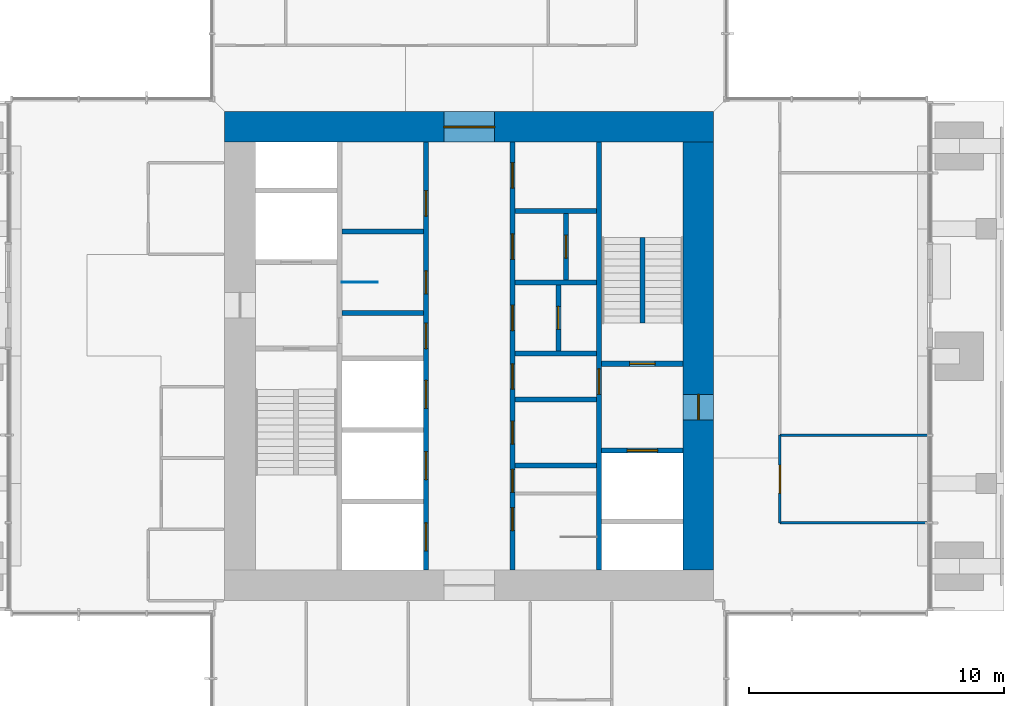
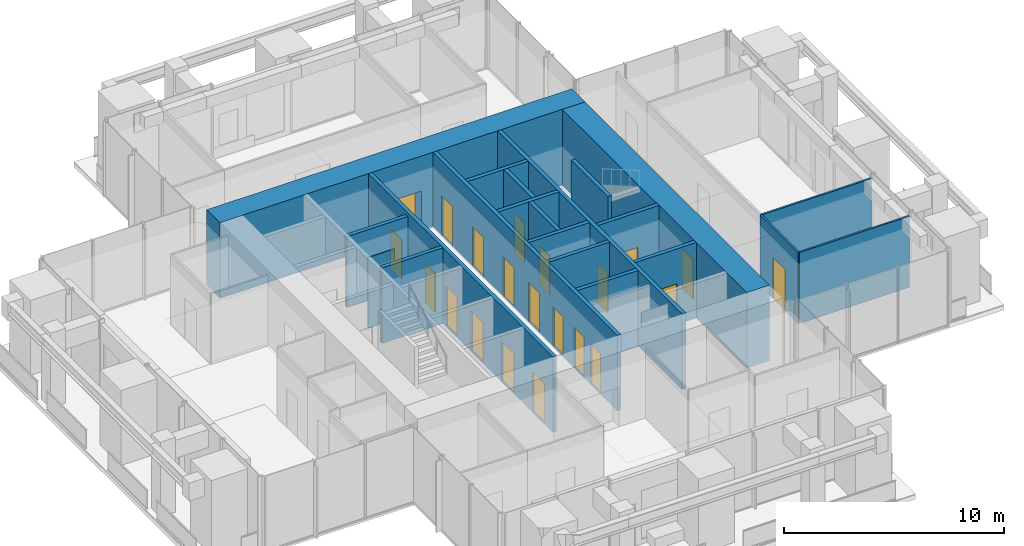
# One storey, part 8 of 12: 21 doors, 21 walls, 21 openings.
"""IFC4 building model written with IfcOpenShell, lengths in metres."""

from ifc_helpers import new_model, si_unit, direction, frame, frame_2d, origin, place, context, subcontext, project, spatial, rectangle, extrude, material, layer, layer_set, type_object, element, fill, save


model = new_model("IFC4")

# Units and contexts
model_context = context("Model", 3, precision=1e-05, world=origin(), true_north=direction((0.0, 1.0)))
body_context = subcontext(model_context, "Body", "Model", "MODEL_VIEW")
ifc_project = project(units=[si_unit("LENGTHUNIT", "METRE"), si_unit("AREAUNIT", "SQUARE_METRE"), si_unit("VOLUMEUNIT", "CUBIC_METRE"), si_unit("PLANEANGLEUNIT", "RADIAN"), si_unit("MASSUNIT", "GRAM", prefix="KILO")], contexts=[model_context])

# Site, building, storey
site_placement = place(None, origin())
site = spatial("IfcSite", under=ifc_project, at=site_placement, CompositionType="ELEMENT")
building_placement = place(site_placement, origin())
building = spatial("IfcBuilding", under=site, at=building_placement, Name="Svetlomir Tower", CompositionType="ELEMENT")
storey_placement = place(building_placement, frame((0.0, 0.0, 256.60009765625)))
storey = spatial("IfcBuildingStorey", under=building, at=storey_placement, Name="L61", CompositionType="ELEMENT", Elevation=256.60009765625)

# Wall
ifc_material_1 = material(Name="Gypsum board on twin steel studs", Category="steel")
ifc_layer_1 = layer(ifc_material_1, 0.199951171875)
ifc_layer_set_1 = layer_set([ifc_layer_1], Name="Gypsum board on twin steel studs")
wall_type_1 = type_object("IfcWallType", Name="ACOUSTIC PARTITION 200", PredefinedType="PARTITIONING", material=ifc_layer_set_1)
wall_1_placement = place(storey_placement, frame((16.0, 25.89990234375, 0.0), z_axis=(0.0, 0.0, 1.0), x_axis=(1.0, 0.0, 0.0)))
element("IfcWall", 1, at=wall_1_placement, inside=storey, type_object=wall_type_1, Name="Core cell partition 16-19.2/25.9 L61", PredefinedType="PARTITIONING", context=body_context, shape_type="SweptSolid", body=[
    extrude(rectangle(XDim=3.199951171875, YDim=0.199951171875, at=frame_2d((1.60009765625, 0.0))), origin(), (0.0, 0.0, 1.0), 3.949951171875),
])

# Wall, openings, doors
ifc_material_2 = material(Name="Concrete C60/75", Category="concrete")
ifc_layer_2 = layer(ifc_material_2, 0.199951171875)
ifc_layer_set_2 = layer_set([ifc_layer_2], Name="Concrete C60/75")
wall_type_2 = type_object("IfcWallType", Name="CORE INNER WALL 200", PredefinedType="SHEAR", material=ifc_layer_set_2)
wall_2_placement = place(storey_placement, frame((19.300048828125, 12.60009765625, -0.050048828125), z_axis=(0.0, 0.0, 1.0), x_axis=(0.0, 1.0, 0.0)))
wall_2 = element("IfcWall", 2, at=wall_2_placement, inside=storey, type_object=wall_type_2, Name="Core inner wall 19.3 L61", PredefinedType="SHEAR", context=body_context, shape_type="SweptSolid", body=[
    extrude(rectangle(XDim=16.7998046875, YDim=0.199951171875, at=frame_2d((8.39990234375, 0.0))), origin(), (0.0, 0.0, 1.0), 4.199951171875),
])
opening_1_placement = place(wall_2_placement, frame((8.699951171875, 0.0, 0.050048828125)))
opening_1 = element("IfcOpeningElement", 3, at=opening_1_placement, cuts=wall_2, Name="Opening DC", PredefinedType="OPENING", context=body_context, shape_type="SweptSolid", body=[
    extrude(rectangle(XDim=1.0, YDim=2.199951171875, at=frame_2d((0.5, 1.10009765625))), frame((0.0, 0.10986328125, 0.0), z_axis=(0.0, -1.0, 0.0), x_axis=(1.0, 0.0, 0.0)), (0.0, 0.0, 1.0), 0.219970703125),
])
opening_2_placement = place(wall_2_placement, frame((10.85009765625, 0.0, 0.050048828125)))
opening_2 = element("IfcOpeningElement", 4, at=opening_2_placement, cuts=wall_2, Name="Opening DW", PredefinedType="OPENING", context=body_context, shape_type="SweptSolid", body=[
    extrude(rectangle(XDim=0.89990234375, YDim=2.199951171875, at=frame_2d((0.449951171875, 1.10009765625))), frame((0.0, 0.10986328125, 0.0), z_axis=(0.0, -1.0, 0.0), x_axis=(1.0, 0.0, 0.0)), (0.0, 0.0, 1.0), 0.219970703125),
])
opening_3_placement = place(wall_2_placement, frame((13.89990234375, 0.0, 0.050048828125)))
opening_3 = element("IfcOpeningElement", 5, at=opening_3_placement, cuts=wall_2, Name="Opening DC", PredefinedType="OPENING", context=body_context, shape_type="SweptSolid", body=[
    extrude(rectangle(XDim=1.0, YDim=2.199951171875, at=frame_2d((0.5, 1.10009765625))), frame((0.0, 0.10986328125, 0.0), z_axis=(0.0, -1.0, 0.0), x_axis=(1.0, 0.0, 0.0)), (0.0, 0.0, 1.0), 0.219970703125),
])
opening_4_placement = place(wall_2_placement, frame((0.75, 0.0, 0.050048828125)))
opening_4 = element("IfcOpeningElement", 6, at=opening_4_placement, cuts=wall_2, Name="Opening LD", PredefinedType="OPENING", context=body_context, shape_type="SweptSolid", body=[
    extrude(rectangle(XDim=1.10009765625, YDim=2.199951171875, at=frame_2d((0.550048828125, 1.10009765625))), frame((0.0, 0.10986328125, 0.0), z_axis=(0.0, -1.0, 0.0), x_axis=(1.0, 0.0, 0.0)), (0.0, 0.0, 1.0), 0.219970703125),
])
opening_5_placement = place(wall_2_placement, frame((3.550048828125, 0.0, 0.050048828125)))
opening_5 = element("IfcOpeningElement", 7, at=opening_5_placement, cuts=wall_2, Name="Opening LD", PredefinedType="OPENING", context=body_context, shape_type="SweptSolid", body=[
    extrude(rectangle(XDim=1.10009765625, YDim=2.199951171875, at=frame_2d((0.550048828125, 1.10009765625))), frame((0.0, 0.10986328125, 0.0), z_axis=(0.0, -1.0, 0.0), x_axis=(1.0, 0.0, 0.0)), (0.0, 0.0, 1.0), 0.219970703125),
])
opening_6_placement = place(wall_2_placement, frame((6.35009765625, 0.0, 0.050048828125)))
opening_6 = element("IfcOpeningElement", 8, at=opening_6_placement, cuts=wall_2, Name="Opening LD", PredefinedType="OPENING", context=body_context, shape_type="SweptSolid", body=[
    extrude(rectangle(XDim=1.10009765625, YDim=2.199951171875, at=frame_2d((0.550048828125, 1.10009765625))), frame((0.0, 0.10986328125, 0.0), z_axis=(0.0, -1.0, 0.0), x_axis=(1.0, 0.0, 0.0)), (0.0, 0.0, 1.0), 0.219970703125),
])
ifc_material_3 = material(Name="Timber fire door", Category="wood")
door_type_1 = type_object("IfcDoorType", Name="DOOR DC 1000x2200", OperationType="SINGLE_SWING_LEFT", PredefinedType="DOOR", material=ifc_material_3)
door_1_placement = place(opening_1_placement, origin())
door_1 = element("IfcDoor", 9, at=door_1_placement, inside=storey, type_object=door_type_1, Name="Core corridor west lobby door L61", OperationType="SINGLE_SWING_RIGHT", OverallHeight=2.199951171875, OverallWidth=1.0, PredefinedType="DOOR", context=body_context, shape_type="SweptSolid", body=[
    extrude(rectangle(XDim=1.0, YDim=2.199951171875, at=frame_2d((0.5, 1.10009765625))), frame((0.0, 0.02490234375, 0.0), z_axis=(0.0, -1.0, 0.0), x_axis=(1.0, 0.0, 0.0)), (0.0, 0.0, 1.0), 0.050048828125),
])
fill(opening_1, door_1)
door_2_placement = place(opening_3_placement, origin())
door_2 = element("IfcDoor", 10, at=door_2_placement, inside=storey, type_object=door_type_1, Name="Accessible WC door L61", OperationType="SINGLE_SWING_LEFT", OverallHeight=2.199951171875, OverallWidth=1.0, PredefinedType="DOOR", context=body_context, shape_type="SweptSolid", body=[
    extrude(rectangle(XDim=1.0, YDim=2.199951171875, at=frame_2d((0.5, 1.10009765625))), frame((0.0, 0.02490234375, 0.0), z_axis=(0.0, -1.0, 0.0), x_axis=(1.0, 0.0, 0.0)), (0.0, 0.0, 1.0), 0.050048828125),
])
fill(opening_3, door_2)
ifc_material_4 = material(Name="Timber fire door", Category="wood")
door_type_2 = type_object("IfcDoorType", Name="DOOR DW 900x2200", OperationType="SINGLE_SWING_LEFT", PredefinedType="DOOR", material=ifc_material_4)
door_3_placement = place(opening_2_placement, origin())
door_3 = element("IfcDoor", 11, at=door_3_placement, inside=storey, type_object=door_type_2, Name="Female WC door L61", OperationType="SINGLE_SWING_LEFT", OverallHeight=2.199951171875, OverallWidth=0.89990234375, PredefinedType="DOOR", context=body_context, shape_type="SweptSolid", body=[
    extrude(rectangle(XDim=0.89990234375, YDim=2.199951171875, at=frame_2d((0.449951171875, 1.10009765625))), frame((0.0, 0.02490234375, 0.0), z_axis=(0.0, -1.0, 0.0), x_axis=(1.0, 0.0, 0.0)), (0.0, 0.0, 1.0), 0.050048828125),
])
fill(opening_2, door_3)
ifc_material_5 = material(Name="Stainless steel landing door", Category="steel")
door_type_3 = type_object("IfcDoorType", Name="LIFT LANDING DOOR LD 1100x2200", OperationType="DOUBLE_DOOR_SLIDING", PredefinedType="DOOR", material=ifc_material_5)
door_4_placement = place(opening_4_placement, origin())
door_4 = element("IfcDoor", 12, at=door_4_placement, inside=storey, type_object=door_type_3, Name="Landing door lift LD1 L61", OperationType="DOUBLE_DOOR_SLIDING", OverallHeight=2.199951171875, OverallWidth=1.10009765625, PredefinedType="DOOR", context=body_context, shape_type="SweptSolid", body=[
    extrude(rectangle(XDim=1.10009765625, YDim=2.199951171875, at=frame_2d((0.550048828125, 1.10009765625))), frame((0.0, 0.02490234375, 0.0), z_axis=(0.0, -1.0, 0.0), x_axis=(1.0, 0.0, 0.0)), (0.0, 0.0, 1.0), 0.050048828125),
])
fill(opening_4, door_4)
door_5_placement = place(opening_5_placement, origin())
door_5 = element("IfcDoor", 13, at=door_5_placement, inside=storey, type_object=door_type_3, Name="Landing door lift LD2 L61", OperationType="DOUBLE_DOOR_SLIDING", OverallHeight=2.199951171875, OverallWidth=1.10009765625, PredefinedType="DOOR", context=body_context, shape_type="SweptSolid", body=[
    extrude(rectangle(XDim=1.10009765625, YDim=2.199951171875, at=frame_2d((0.550048828125, 1.10009765625))), frame((0.0, 0.02490234375, 0.0), z_axis=(0.0, -1.0, 0.0), x_axis=(1.0, 0.0, 0.0)), (0.0, 0.0, 1.0), 0.050048828125),
])
fill(opening_5, door_5)
door_6_placement = place(opening_6_placement, origin())
door_6 = element("IfcDoor", 14, at=door_6_placement, inside=storey, type_object=door_type_3, Name="Landing door lift LD3 L61", OperationType="DOUBLE_DOOR_SLIDING", OverallHeight=2.199951171875, OverallWidth=1.10009765625, PredefinedType="DOOR", context=body_context, shape_type="SweptSolid", body=[
    extrude(rectangle(XDim=1.10009765625, YDim=2.199951171875, at=frame_2d((0.550048828125, 1.10009765625))), frame((0.0, 0.02490234375, 0.0), z_axis=(0.0, -1.0, 0.0), x_axis=(1.0, 0.0, 0.0)), (0.0, 0.0, 1.0), 0.050048828125),
])
fill(opening_6, door_6)

wall_3_placement = place(storey_placement, frame((22.699951171875, 12.60009765625, -0.050048828125), z_axis=(0.0, 0.0, 1.0), x_axis=(0.0, 1.0, 0.0)))
wall_3 = element("IfcWall", 15, at=wall_3_placement, inside=storey, type_object=wall_type_2, Name="Core inner wall 22.7 L61", PredefinedType="SHEAR", context=body_context, shape_type="SweptSolid", body=[
    extrude(rectangle(XDim=16.7998046875, YDim=0.199951171875, at=frame_2d((8.39990234375, 0.0))), origin(), (0.0, 0.0, 1.0), 4.199951171875),
])
opening_7_placement = place(wall_3_placement, frame((3.050048828125, 0.0, 0.050048828125)))
opening_7 = element("IfcOpeningElement", 16, at=opening_7_placement, cuts=wall_3, Name="Opening DW", PredefinedType="OPENING", context=body_context, shape_type="SweptSolid", body=[
    extrude(rectangle(XDim=0.89990234375, YDim=2.199951171875, at=frame_2d((0.449951171875, 1.10009765625))), frame((0.0, 0.10986328125, 0.0), z_axis=(0.0, -1.0, 0.0), x_axis=(1.0, 0.0, 0.0)), (0.0, 0.0, 1.0), 0.219970703125),
])
opening_8_placement = place(wall_3_placement, frame((7.10009765625, 0.0, 0.050048828125)))
opening_8 = element("IfcOpeningElement", 17, at=opening_8_placement, cuts=wall_3, Name="Opening DC", PredefinedType="OPENING", context=body_context, shape_type="SweptSolid", body=[
    extrude(rectangle(XDim=1.0, YDim=2.199951171875, at=frame_2d((0.5, 1.10009765625))), frame((0.0, 0.10986328125, 0.0), z_axis=(0.0, -1.0, 0.0), x_axis=(1.0, 0.0, 0.0)), (0.0, 0.0, 1.0), 0.219970703125),
])
opening_9_placement = place(wall_3_placement, frame((1.550048828125, 0.0, 0.050048828125)))
opening_9 = element("IfcOpeningElement", 18, at=opening_9_placement, cuts=wall_3, Name="Opening DW", PredefinedType="OPENING", context=body_context, shape_type="SweptSolid", body=[
    extrude(rectangle(XDim=0.89990234375, YDim=2.199951171875, at=frame_2d((0.449951171875, 1.10009765625))), frame((0.0, 0.10986328125, 0.0), z_axis=(0.0, -1.0, 0.0), x_axis=(1.0, 0.0, 0.0)), (0.0, 0.0, 1.0), 0.219970703125),
])
opening_10_placement = place(wall_3_placement, frame((4.949951171875, 0.0, 0.050048828125)))
opening_10 = element("IfcOpeningElement", 19, at=opening_10_placement, cuts=wall_3, Name="Opening DW", PredefinedType="OPENING", context=body_context, shape_type="SweptSolid", body=[
    extrude(rectangle(XDim=0.89990234375, YDim=2.199951171875, at=frame_2d((0.449951171875, 1.10009765625))), frame((0.0, 0.10986328125, 0.0), z_axis=(0.0, -1.0, 0.0), x_axis=(1.0, 0.0, 0.0)), (0.0, 0.0, 1.0), 0.219970703125),
])
opening_11_placement = place(wall_3_placement, frame((9.39990234375, 0.0, 0.050048828125)))
opening_11 = element("IfcOpeningElement", 20, at=opening_11_placement, cuts=wall_3, Name="Opening DC", PredefinedType="OPENING", context=body_context, shape_type="SweptSolid", body=[
    extrude(rectangle(XDim=1.0, YDim=2.199951171875, at=frame_2d((0.5, 1.10009765625))), frame((0.0, 0.10986328125, 0.0), z_axis=(0.0, -1.0, 0.0), x_axis=(1.0, 0.0, 0.0)), (0.0, 0.0, 1.0), 0.219970703125),
])
opening_12_placement = place(wall_3_placement, frame((12.199951171875, 0.0, 0.050048828125)))
opening_12 = element("IfcOpeningElement", 21, at=opening_12_placement, cuts=wall_3, Name="Opening DC", PredefinedType="OPENING", context=body_context, shape_type="SweptSolid", body=[
    extrude(rectangle(XDim=1.0, YDim=2.199951171875, at=frame_2d((0.5, 1.10009765625))), frame((0.0, 0.10986328125, 0.0), z_axis=(0.0, -1.0, 0.0), x_axis=(1.0, 0.0, 0.0)), (0.0, 0.0, 1.0), 0.219970703125),
])
opening_13_placement = place(wall_3_placement, frame((15.0, 0.0, 0.050048828125)))
opening_13 = element("IfcOpeningElement", 22, at=opening_13_placement, cuts=wall_3, Name="Opening DC", PredefinedType="OPENING", context=body_context, shape_type="SweptSolid", body=[
    extrude(rectangle(XDim=1.0, YDim=2.199951171875, at=frame_2d((0.5, 1.10009765625))), frame((0.0, 0.10986328125, 0.0), z_axis=(0.0, -1.0, 0.0), x_axis=(1.0, 0.0, 0.0)), (0.0, 0.0, 1.0), 0.219970703125),
])
door_7_placement = place(opening_8_placement, origin())
door_7 = element("IfcDoor", 23, at=door_7_placement, inside=storey, type_object=door_type_1, Name="Core corridor east lobby door L61", OperationType="SINGLE_SWING_LEFT", OverallHeight=2.199951171875, OverallWidth=1.0, PredefinedType="DOOR", context=body_context, shape_type="SweptSolid", body=[
    extrude(rectangle(XDim=1.0, YDim=2.199951171875, at=frame_2d((0.5, 1.10009765625))), frame((0.0, 0.02490234375, 0.0), z_axis=(0.0, -1.0, 0.0), x_axis=(1.0, 0.0, 0.0)), (0.0, 0.0, 1.0), 0.050048828125),
])
fill(opening_8, door_7)
door_8_placement = place(opening_11_placement, origin())
door_8 = element("IfcDoor", 24, at=door_8_placement, inside=storey, type_object=door_type_1, Name="Converted shaft BANK-E1 room door L61", OperationType="SINGLE_SWING_RIGHT", OverallHeight=2.199951171875, OverallWidth=1.0, PredefinedType="DOOR", context=body_context, shape_type="SweptSolid", body=[
    extrude(rectangle(XDim=1.0, YDim=2.199951171875, at=frame_2d((0.5, 1.10009765625))), frame((0.0, 0.02490234375, 0.0), z_axis=(0.0, -1.0, 0.0), x_axis=(1.0, 0.0, 0.0)), (0.0, 0.0, 1.0), 0.050048828125),
])
fill(opening_11, door_8)
door_9_placement = place(opening_12_placement, origin())
door_9 = element("IfcDoor", 25, at=door_9_placement, inside=storey, type_object=door_type_1, Name="Converted shaft BANK-E2 room door L61", OperationType="SINGLE_SWING_RIGHT", OverallHeight=2.199951171875, OverallWidth=1.0, PredefinedType="DOOR", context=body_context, shape_type="SweptSolid", body=[
    extrude(rectangle(XDim=1.0, YDim=2.199951171875, at=frame_2d((0.5, 1.10009765625))), frame((0.0, 0.02490234375, 0.0), z_axis=(0.0, -1.0, 0.0), x_axis=(1.0, 0.0, 0.0)), (0.0, 0.0, 1.0), 0.050048828125),
])
fill(opening_12, door_9)
door_10_placement = place(opening_13_placement, origin())
door_10 = element("IfcDoor", 26, at=door_10_placement, inside=storey, type_object=door_type_1, Name="Converted shaft BANK-E3 room door L61", OperationType="SINGLE_SWING_RIGHT", OverallHeight=2.199951171875, OverallWidth=1.0, PredefinedType="DOOR", context=body_context, shape_type="SweptSolid", body=[
    extrude(rectangle(XDim=1.0, YDim=2.199951171875, at=frame_2d((0.5, 1.10009765625))), frame((0.0, 0.02490234375, 0.0), z_axis=(0.0, -1.0, 0.0), x_axis=(1.0, 0.0, 0.0)), (0.0, 0.0, 1.0), 0.050048828125),
])
fill(opening_13, door_10)
door_11_placement = place(opening_7_placement, origin())
door_11 = element("IfcDoor", 27, at=door_11_placement, inside=storey, type_object=door_type_2, Name="Shower and changing room door L61", OperationType="SINGLE_SWING_LEFT", OverallHeight=2.199951171875, OverallWidth=0.89990234375, PredefinedType="DOOR", context=body_context, shape_type="SweptSolid", body=[
    extrude(rectangle(XDim=0.89990234375, YDim=2.199951171875, at=frame_2d((0.449951171875, 1.10009765625))), frame((0.0, 0.02490234375, 0.0), z_axis=(0.0, -1.0, 0.0), x_axis=(1.0, 0.0, 0.0)), (0.0, 0.0, 1.0), 0.050048828125),
])
fill(opening_7, door_11)
door_12_placement = place(opening_9_placement, origin())
door_12 = element("IfcDoor", 28, at=door_12_placement, inside=storey, type_object=door_type_2, Name="Male WC door L61", OperationType="SINGLE_SWING_RIGHT", OverallHeight=2.199951171875, OverallWidth=0.89990234375, PredefinedType="DOOR", context=body_context, shape_type="SweptSolid", body=[
    extrude(rectangle(XDim=0.89990234375, YDim=2.199951171875, at=frame_2d((0.449951171875, 1.10009765625))), frame((0.0, 0.02490234375, 0.0), z_axis=(0.0, -1.0, 0.0), x_axis=(1.0, 0.0, 0.0)), (0.0, 0.0, 1.0), 0.050048828125),
])
fill(opening_9, door_12)
door_13_placement = place(opening_10_placement, origin())
door_13 = element("IfcDoor", 29, at=door_13_placement, inside=storey, type_object=door_type_2, Name="Comms room door L61", OperationType="SINGLE_SWING_LEFT", OverallHeight=2.199951171875, OverallWidth=0.89990234375, PredefinedType="DOOR", context=body_context, shape_type="SweptSolid", body=[
    extrude(rectangle(XDim=0.89990234375, YDim=2.199951171875, at=frame_2d((0.449951171875, 1.10009765625))), frame((0.0, 0.02490234375, 0.0), z_axis=(0.0, -1.0, 0.0), x_axis=(1.0, 0.0, 0.0)), (0.0, 0.0, 1.0), 0.050048828125),
])
fill(opening_10, door_13)

# Wall, opening, door
wall_4_placement = place(storey_placement, frame((26.10009765625, 12.60009765625, -0.050048828125), z_axis=(0.0, 0.0, 1.0), x_axis=(0.0, 1.0, 0.0)))
wall_4 = element("IfcWall", 30, at=wall_4_placement, inside=storey, type_object=wall_type_2, Name="Core inner wall 26.1 L61", PredefinedType="SHEAR", context=body_context, shape_type="SweptSolid", body=[
    extrude(rectangle(XDim=16.7998046875, YDim=0.199951171875, at=frame_2d((8.39990234375, 0.0))), origin(), (0.0, 0.0, 1.0), 4.199951171875),
])
opening_14_placement = place(wall_4_placement, frame((6.89990234375, 0.0, 0.050048828125)))
opening_14 = element("IfcOpeningElement", 31, at=opening_14_placement, cuts=wall_4, Name="Opening DF", PredefinedType="OPENING", context=body_context, shape_type="SweptSolid", body=[
    extrude(rectangle(XDim=1.0, YDim=2.199951171875, at=frame_2d((0.5, 1.10009765625))), frame((0.0, 0.10986328125, 0.0), z_axis=(0.0, -1.0, 0.0), x_axis=(1.0, 0.0, 0.0)), (0.0, 0.0, 1.0), 0.219970703125),
])
ifc_material_6 = material(Name="Steel fire door", Category="steel")
door_type_4 = type_object("IfcDoorType", Name="DOOR DF 1000x2200", OperationType="SINGLE_SWING_LEFT", PredefinedType="DOOR", material=ifc_material_6)
door_14_placement = place(opening_14_placement, origin())
door_14 = element("IfcDoor", 32, at=door_14_placement, inside=storey, type_object=door_type_4, Name="Core corridor east door L61", OperationType="SINGLE_SWING_LEFT", OverallHeight=2.199951171875, OverallWidth=1.0, PredefinedType="DOOR", context=body_context, shape_type="SweptSolid", body=[
    extrude(rectangle(XDim=1.0, YDim=2.199951171875, at=frame_2d((0.5, 1.10009765625))), frame((0.0, 0.02490234375, 0.0), z_axis=(0.0, -1.0, 0.0), x_axis=(1.0, 0.0, 0.0)), (0.0, 0.0, 1.0), 0.050048828125),
])
fill(opening_14, door_14)

# Walls
for number, where, z_axis, x_axis, name in (
    (33, (16.0, 22.699951171875, -0.050048828125), (0.0, 0.0, 1.0), (1.0, 0.0, 0.0), "Core inner wall 16-19.2/22.7 L61"),
    (34, (22.800048828125, 16.699951171875, -0.050048828125), (0.0, 0.0, 1.0), (1.0, 0.0, 0.0), "Core inner wall 22.8-26/16.7 L61"),
    (35, (22.800048828125, 19.300048828125, -0.050048828125), (0.0, 0.0, 1.0), (1.0, 0.0, 0.0), "Core inner wall 22.8-26/19.3 L61"),
    (36, (22.800048828125, 21.10009765625, -0.050048828125), (0.0, 0.0, 1.0), (1.0, 0.0, 0.0), "Core inner wall 22.8-26/21.1 L61"),
    (37, (22.800048828125, 23.89990234375, -0.050048828125), (0.0, 0.0, 1.0), (1.0, 0.0, 0.0), "Core inner wall 22.8-26/23.9 L61"),
    (38, (22.800048828125, 26.699951171875, -0.050048828125), (0.0, 0.0, 1.0), (1.0, 0.0, 0.0), "Core inner wall 22.8-26/26.7 L61"),
):
    element("IfcWall", number, at=place(storey_placement, frame(where, z_axis=z_axis, x_axis=x_axis)), inside=storey, type_object=wall_type_2, Name=name, PredefinedType="SHEAR", context=body_context, shape_type="SweptSolid", body=[
        extrude(rectangle(XDim=3.199951171875, YDim=0.199951171875, at=frame_2d((1.60009765625, 0.0))), origin(), (0.0, 0.0, 1.0), 4.199951171875),
    ])

# Wall, opening, door
wall_5_placement = place(storey_placement, frame((26.199951171875, 17.300048828125, -0.050048828125), z_axis=(0.0, 0.0, 1.0), x_axis=(1.0, 0.0, 0.0)))
wall_5 = element("IfcWall", 39, at=wall_5_placement, inside=storey, type_object=wall_type_2, Name="Core inner wall 26.2-29.4/17.3 L61", PredefinedType="SHEAR", context=body_context, shape_type="SweptSolid", body=[
    extrude(rectangle(XDim=3.199951171875, YDim=0.199951171875, at=frame_2d((1.60009765625, 0.0))), origin(), (0.0, 0.0, 1.0), 4.199951171875),
])
opening_15_placement = place(wall_5_placement, frame((1.0, 0.0, 0.050048828125)))
opening_15 = element("IfcOpeningElement", 40, at=opening_15_placement, cuts=wall_5, Name="Opening LD3", PredefinedType="OPENING", context=body_context, shape_type="SweptSolid", body=[
    extrude(rectangle(XDim=1.199951171875, YDim=2.199951171875, at=frame_2d((0.60009765625, 1.10009765625))), frame((0.0, 0.10986328125, 0.0), z_axis=(0.0, -1.0, 0.0), x_axis=(1.0, 0.0, 0.0)), (0.0, 0.0, 1.0), 0.219970703125),
])
ifc_material_7 = material(Name="Stainless steel fire-rated landing door", Category="steel")
door_type_5 = type_object("IfcDoorType", Name="FIREFIGHTING LIFT LANDING DOOR LD3 1200x2200", OperationType="DOUBLE_DOOR_SLIDING", PredefinedType="DOOR", material=ifc_material_7)
door_15_placement = place(opening_15_placement, origin())
door_15 = element("IfcDoor", 41, at=door_15_placement, inside=storey, type_object=door_type_5, Name="Landing door lift FL2 L61", OperationType="DOUBLE_DOOR_SLIDING", OverallHeight=2.199951171875, OverallWidth=1.199951171875, PredefinedType="DOOR", context=body_context, shape_type="SweptSolid", body=[
    extrude(rectangle(XDim=1.199951171875, YDim=2.199951171875, at=frame_2d((0.60009765625, 1.10009765625))), frame((0.0, 0.02490234375, 0.0), z_axis=(0.0, -1.0, 0.0), x_axis=(1.0, 0.0, 0.0)), (0.0, 0.0, 1.0), 0.050048828125),
])
fill(opening_15, door_15)

wall_6_placement = place(storey_placement, frame((26.199951171875, 20.699951171875, -0.050048828125), z_axis=(0.0, 0.0, 1.0), x_axis=(1.0, 0.0, 0.0)))
wall_6 = element("IfcWall", 42, at=wall_6_placement, inside=storey, type_object=wall_type_2, Name="Core inner wall 26.2-29.4/20.7 L61", PredefinedType="SHEAR", context=body_context, shape_type="SweptSolid", body=[
    extrude(rectangle(XDim=3.199951171875, YDim=0.199951171875, at=frame_2d((1.60009765625, 0.0))), origin(), (0.0, 0.0, 1.0), 4.199951171875),
])
opening_16_placement = place(wall_6_placement, frame((1.10009765625, 0.0, 0.050048828125)))
opening_16 = element("IfcOpeningElement", 43, at=opening_16_placement, cuts=wall_6, Name="Opening DF", PredefinedType="OPENING", context=body_context, shape_type="SweptSolid", body=[
    extrude(rectangle(XDim=1.0, YDim=2.199951171875, at=frame_2d((0.5, 1.10009765625))), frame((0.0, 0.10986328125, 0.0), z_axis=(0.0, -1.0, 0.0), x_axis=(1.0, 0.0, 0.0)), (0.0, 0.0, 1.0), 0.219970703125),
])
door_16_placement = place(opening_16_placement, origin())
door_16 = element("IfcDoor", 44, at=door_16_placement, inside=storey, type_object=door_type_4, Name="Stair S2 door L61", OperationType="SINGLE_SWING_LEFT", OverallHeight=2.199951171875, OverallWidth=1.0, PredefinedType="DOOR", context=body_context, shape_type="SweptSolid", body=[
    extrude(rectangle(XDim=1.0, YDim=2.199951171875, at=frame_2d((0.5, 1.10009765625))), frame((0.0, 0.02490234375, 0.0), z_axis=(0.0, -1.0, 0.0), x_axis=(1.0, 0.0, 0.0)), (0.0, 0.0, 1.0), 0.050048828125),
])
fill(opening_16, door_16)

wall_7_placement = place(storey_placement, frame((24.5, 21.199951171875, -0.050048828125), z_axis=(0.0, 0.0, 1.0), x_axis=(0.0, 1.0, 0.0)))
wall_7 = element("IfcWall", 45, at=wall_7_placement, inside=storey, type_object=wall_type_2, Name="Core inner wall 24.5/21.2-23.8 L61", PredefinedType="SHEAR", context=body_context, shape_type="SweptSolid", body=[
    extrude(rectangle(XDim=2.60009765625, YDim=0.199951171875, at=frame_2d((1.300048828125, 0.0))), origin(), (0.0, 0.0, 1.0), 4.199951171875),
])
opening_17_placement = place(wall_7_placement, frame((0.85009765625, 0.0, 0.050048828125)))
opening_17 = element("IfcOpeningElement", 46, at=opening_17_placement, cuts=wall_7, Name="Opening DW", PredefinedType="OPENING", context=body_context, shape_type="SweptSolid", body=[
    extrude(rectangle(XDim=0.89990234375, YDim=2.199951171875, at=frame_2d((0.449951171875, 1.10009765625))), frame((0.0, 0.10986328125, 0.0), z_axis=(0.0, -1.0, 0.0), x_axis=(1.0, 0.0, 0.0)), (0.0, 0.0, 1.0), 0.219970703125),
])
door_17_placement = place(opening_17_placement, origin())
door_17 = element("IfcDoor", 47, at=door_17_placement, inside=storey, type_object=door_type_2, Name="Converted shaft BANK-E1 back room door L61", OperationType="SINGLE_SWING_LEFT", OverallHeight=2.199951171875, OverallWidth=0.89990234375, PredefinedType="DOOR", context=body_context, shape_type="SweptSolid", body=[
    extrude(rectangle(XDim=0.89990234375, YDim=2.199951171875, at=frame_2d((0.449951171875, 1.10009765625))), frame((0.0, 0.02490234375, 0.0), z_axis=(0.0, -1.0, 0.0), x_axis=(1.0, 0.0, 0.0)), (0.0, 0.0, 1.0), 0.050048828125),
])
fill(opening_17, door_17)

wall_8_placement = place(storey_placement, frame((24.800048828125, 24.0, -0.050048828125), z_axis=(0.0, 0.0, 1.0), x_axis=(0.0, 1.0, 0.0)))
wall_8 = element("IfcWall", 48, at=wall_8_placement, inside=storey, type_object=wall_type_2, Name="Core inner wall 24.8/24-26.6 L61", PredefinedType="SHEAR", context=body_context, shape_type="SweptSolid", body=[
    extrude(rectangle(XDim=2.60009765625, YDim=0.199951171875, at=frame_2d((1.300048828125, 0.0))), origin(), (0.0, 0.0, 1.0), 4.199951171875),
])
opening_18_placement = place(wall_8_placement, frame((0.85009765625, 0.0, 0.050048828125)))
opening_18 = element("IfcOpeningElement", 49, at=opening_18_placement, cuts=wall_8, Name="Opening DW", PredefinedType="OPENING", context=body_context, shape_type="SweptSolid", body=[
    extrude(rectangle(XDim=0.89990234375, YDim=2.199951171875, at=frame_2d((0.449951171875, 1.10009765625))), frame((0.0, 0.10986328125, 0.0), z_axis=(0.0, -1.0, 0.0), x_axis=(1.0, 0.0, 0.0)), (0.0, 0.0, 1.0), 0.219970703125),
])
door_18_placement = place(opening_18_placement, origin())
door_18 = element("IfcDoor", 50, at=door_18_placement, inside=storey, type_object=door_type_2, Name="Converted shaft BANK-E2 back room door L61", OperationType="SINGLE_SWING_LEFT", OverallHeight=2.199951171875, OverallWidth=0.89990234375, PredefinedType="DOOR", context=body_context, shape_type="SweptSolid", body=[
    extrude(rectangle(XDim=0.89990234375, YDim=2.199951171875, at=frame_2d((0.449951171875, 1.10009765625))), frame((0.0, 0.02490234375, 0.0), z_axis=(0.0, -1.0, 0.0), x_axis=(1.0, 0.0, 0.0)), (0.0, 0.0, 1.0), 0.050048828125),
])
fill(opening_18, door_18)

ifc_material_8 = material(Name="Concrete C60/75", Category="concrete")
ifc_layer_3 = layer(ifc_material_8, 1.199951171875)
ifc_layer_set_3 = layer_set([ifc_layer_3], Name="Concrete C60/75")
wall_type_3 = type_object("IfcWallType", Name="CORE WALL 1200", PredefinedType="SHEAR", material=ifc_layer_set_3)
wall_9_placement = place(storey_placement, frame((11.39990234375, 30.0, -0.050048828125), z_axis=(0.0, 0.0, 1.0), x_axis=(1.0, 0.0, 0.0)))
wall_9 = element("IfcWall", 51, at=wall_9_placement, inside=storey, type_object=wall_type_3, Name="Core wall north L61", PredefinedType="SHEAR", context=body_context, shape_type="SweptSolid", body=[
    extrude(rectangle(XDim=19.2001953125, YDim=1.199951171875, at=frame_2d((9.60009765625, 0.0))), origin(), (0.0, 0.0, 1.0), 4.199951171875),
])
opening_19_placement = place(wall_9_placement, frame((8.60009765625, 0.0, 0.050048828125)))
opening_19 = element("IfcOpeningElement", 52, at=opening_19_placement, cuts=wall_9, Name="Opening DL", PredefinedType="OPENING", context=body_context, shape_type="SweptSolid", body=[
    extrude(rectangle(XDim=2.0, YDim=2.199951171875, at=frame_2d((1.0, 1.10009765625))), frame((0.0, 0.60986328125, 0.0), z_axis=(0.0, -1.0, 0.0), x_axis=(1.0, 0.0, 0.0)), (0.0, 0.0, 1.0), 1.219970703125),
])
ifc_material_9 = material(Name="Steel fire door", Category="steel")
door_type_6 = type_object("IfcDoorType", Name="DOOR DL 2000x2200", OperationType="DOUBLE_DOOR_SINGLE_SWING", PredefinedType="DOOR", material=ifc_material_9)
door_19_placement = place(opening_19_placement, origin())
door_19 = element("IfcDoor", 53, at=door_19_placement, inside=storey, type_object=door_type_6, Name="Lift lobby north door L61", OperationType="DOUBLE_DOOR_SINGLE_SWING", OverallHeight=2.199951171875, OverallWidth=2.0, PredefinedType="DOOR", context=body_context, shape_type="SweptSolid", body=[
    extrude(rectangle(XDim=2.0, YDim=2.199951171875, at=frame_2d((1.0, 1.10009765625))), frame((0.0, 0.02490234375, 0.0), z_axis=(0.0, -1.0, 0.0), x_axis=(1.0, 0.0, 0.0)), (0.0, 0.0, 1.0), 0.050048828125),
])
fill(opening_19, door_19)

wall_10_placement = place(storey_placement, frame((30.0, 12.60009765625, -0.050048828125), z_axis=(0.0, 0.0, 1.0), x_axis=(0.0, 1.0, 0.0)))
wall_10 = element("IfcWall", 54, at=wall_10_placement, inside=storey, type_object=wall_type_3, Name="Core wall east L61", PredefinedType="SHEAR", context=body_context, shape_type="SweptSolid", body=[
    extrude(rectangle(XDim=16.7998046875, YDim=1.199951171875, at=frame_2d((8.39990234375, 0.0))), origin(), (0.0, 0.0, 1.0), 4.199951171875),
])
opening_20_placement = place(wall_10_placement, frame((5.89990234375, 0.0, 0.050048828125)))
opening_20 = element("IfcOpeningElement", 55, at=opening_20_placement, cuts=wall_10, Name="Opening DF", PredefinedType="OPENING", context=body_context, shape_type="SweptSolid", body=[
    extrude(rectangle(XDim=1.0, YDim=2.199951171875, at=frame_2d((0.5, 1.10009765625))), frame((0.0, 0.60986328125, 0.0), z_axis=(0.0, -1.0, 0.0), x_axis=(1.0, 0.0, 0.0)), (0.0, 0.0, 1.0), 1.219970703125),
])
door_20_placement = place(opening_20_placement, origin())
door_20 = element("IfcDoor", 56, at=door_20_placement, inside=storey, type_object=door_type_4, Name="Firefighting lobby east door L61", OperationType="SINGLE_SWING_LEFT", OverallHeight=2.199951171875, OverallWidth=1.0, PredefinedType="DOOR", context=body_context, shape_type="SweptSolid", body=[
    extrude(rectangle(XDim=1.0, YDim=2.199951171875, at=frame_2d((0.5, 1.10009765625))), frame((0.0, 0.02490234375, 0.0), z_axis=(0.0, -1.0, 0.0), x_axis=(1.0, 0.0, 0.0)), (0.0, 0.0, 1.0), 0.050048828125),
])
fill(opening_20, door_20)

ifc_material_10 = material(Name="Framed laminated glass partition", Category="glass")
ifc_layer_4 = layer(ifc_material_10, 0.10009765625)
ifc_layer_set_4 = layer_set([ifc_layer_4], Name="Framed laminated glass partition")
wall_type_4 = type_object("IfcWallType", Name="GLAZED PARTITION 100", PredefinedType="PARTITIONING", material=ifc_layer_set_4)
wall_11_placement = place(storey_placement, frame((33.199951171875, 14.449951171875, 0.0), z_axis=(0.0, 0.0, 1.0), x_axis=(0.0, 1.0, 0.0)))
wall_11 = element("IfcWall", 57, at=wall_11_placement, inside=storey, type_object=wall_type_4, Name="Partition L61", PredefinedType="PARTITIONING", context=body_context, shape_type="SweptSolid", body=[
    extrude(rectangle(XDim=3.449951171875, YDim=0.10009765625, at=frame_2d((1.72509765625, 0.0))), origin(), (0.0, 0.0, 1.0), 3.949951171875),
])
opening_21_placement = place(wall_11_placement, frame((1.175048828125, 0.0, 0.0)))
opening_21 = element("IfcOpeningElement", 58, at=opening_21_placement, cuts=wall_11, Name="Opening DE", PredefinedType="OPENING", context=body_context, shape_type="SweptSolid", body=[
    extrude(rectangle(XDim=1.10009765625, YDim=2.300048828125, at=frame_2d((0.550048828125, 1.14990234375))), frame((0.0, 0.06005859375, 0.0), z_axis=(0.0, -1.0, 0.0), x_axis=(1.0, 0.0, 0.0)), (0.0, 0.0, 1.0), 0.1201171875),
])
ifc_material_11 = material(Name="Walnut veneered timber door", Category="wood")
door_type_7 = type_object("IfcDoorType", Name="DOOR DE 1100x2300", OperationType="SINGLE_SWING_LEFT", PredefinedType="DOOR", material=ifc_material_11)
door_21_placement = place(opening_21_placement, origin())
door_21 = element("IfcDoor", 59, at=door_21_placement, inside=storey, type_object=door_type_7, Name="Executive office - COO door L61", OperationType="SINGLE_SWING_LEFT", OverallHeight=2.300048828125, OverallWidth=1.10009765625, PredefinedType="DOOR", context=body_context, shape_type="SweptSolid", body=[
    extrude(rectangle(XDim=1.10009765625, YDim=2.300048828125, at=frame_2d((0.550048828125, 1.14990234375))), frame((0.0, 0.02490234375, 0.0), z_axis=(0.0, -1.0, 0.0), x_axis=(1.0, 0.0, 0.0)), (0.0, 0.0, 1.0), 0.050048828125),
])
fill(opening_21, door_21)

# Walls
for number, where, z_axis, x_axis, name in (
    (60, (33.199951171875, 14.449951171875, 0.0), (0.0, 0.0, 1.0), (1.0, 0.0, 0.0), "Partition L61"),
    (61, (33.199951171875, 17.89990234375, 0.0), (0.0, 0.0, 1.0), (1.0, 0.0, 0.0), "Partition L61"),
):
    element("IfcWall", number, at=place(storey_placement, frame(where, z_axis=z_axis, x_axis=x_axis)), inside=storey, type_object=wall_type_4, Name=name, PredefinedType="PARTITIONING", context=body_context, shape_type="SweptSolid", body=[
        extrude(rectangle(XDim=5.800048828125, YDim=0.10009765625, at=frame_2d((2.89990234375, 0.0))), origin(), (0.0, 0.0, 1.0), 3.949951171875),
    ])
ifc_material_12 = material(Name="Concrete C60/75", Category="concrete")
ifc_layer_5 = layer(ifc_material_12, 0.199951171875)
ifc_layer_set_5 = layer_set([ifc_layer_5], Name="Concrete C60/75")
wall_type_5 = type_object("IfcWallType", Name="STAIR SPINE WALL 200", PredefinedType="PARTITIONING", material=ifc_layer_set_5)
wall_12_placement = place(storey_placement, frame((27.800048828125, 22.300048828125, 0.0), z_axis=(0.0, 0.0, 1.0), x_axis=(0.0, 1.0, 0.0)))
element("IfcWall", 62, at=wall_12_placement, inside=storey, type_object=wall_type_5, Name="Stair S2 spine wall L61", PredefinedType="PARTITIONING", context=body_context, shape_type="SweptSolid", body=[
    extrude(rectangle(XDim=3.35986328125, YDim=0.199951171875, at=frame_2d((1.679931640625, 0.0))), origin(), (0.0, 0.0, 1.0), 4.199951171875),
])
ifc_material_13 = material(Name="Compact laminate panel", Category="plastic")
ifc_layer_6 = layer(ifc_material_13, 0.030029296875)
ifc_layer_set_6 = layer_set([ifc_layer_6], Name="Compact laminate panel")
wall_type_6 = type_object("IfcWallType", Name="WC CUBICLE PARTITION 30", PredefinedType="PARTITIONING", material=ifc_layer_set_6)
wall_13_placement = place(storey_placement, frame((16.0, 23.89990234375, 0.0), z_axis=(0.0, 0.0, 1.0), x_axis=(1.0, 0.0, 0.0)))
element("IfcWall", 63, at=wall_13_placement, inside=storey, type_object=wall_type_6, Name="WC cubicle partition L61", PredefinedType="PARTITIONING", context=body_context, shape_type="SweptSolid", body=[
    extrude(rectangle(XDim=1.39990234375, YDim=0.030029296875, at=frame_2d((0.699951171875, 0.0))), origin(), (0.0, 0.0, 1.0), 3.949951171875),
])

save(model, "model.ifc")
